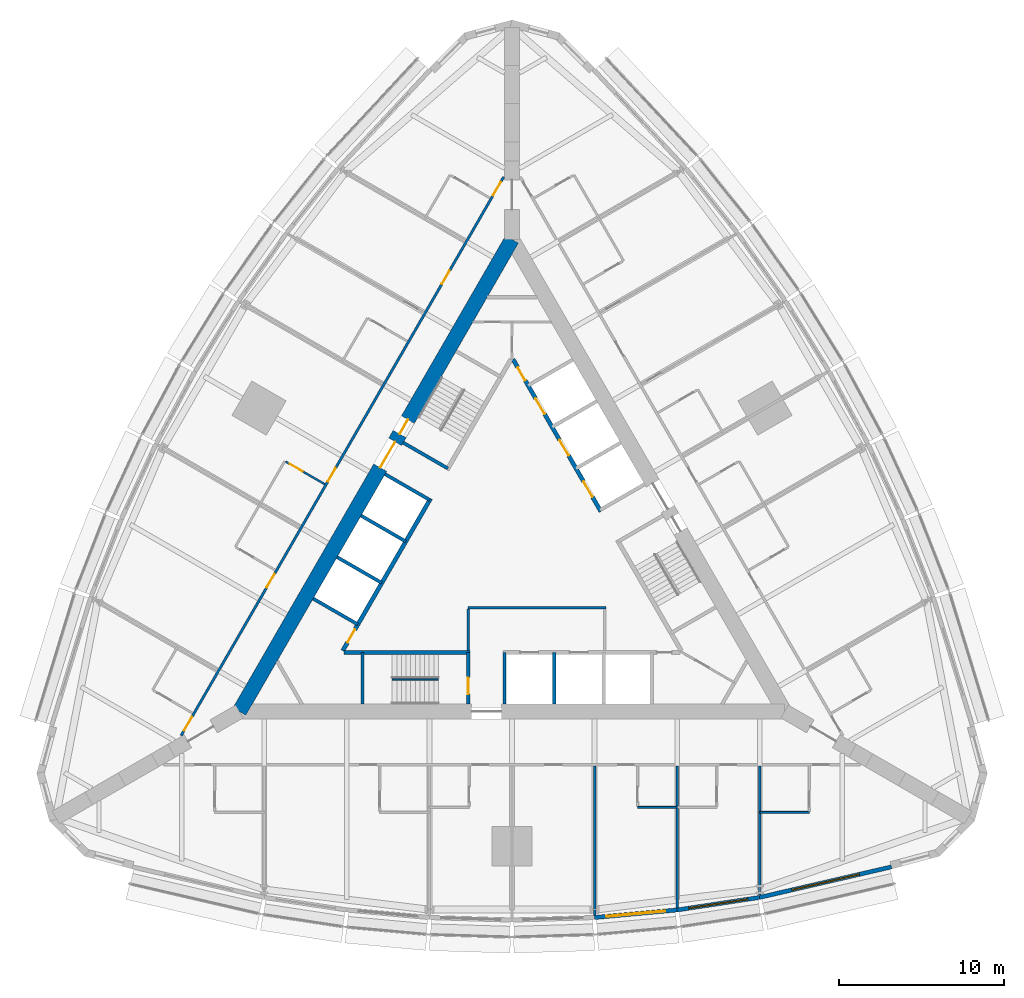
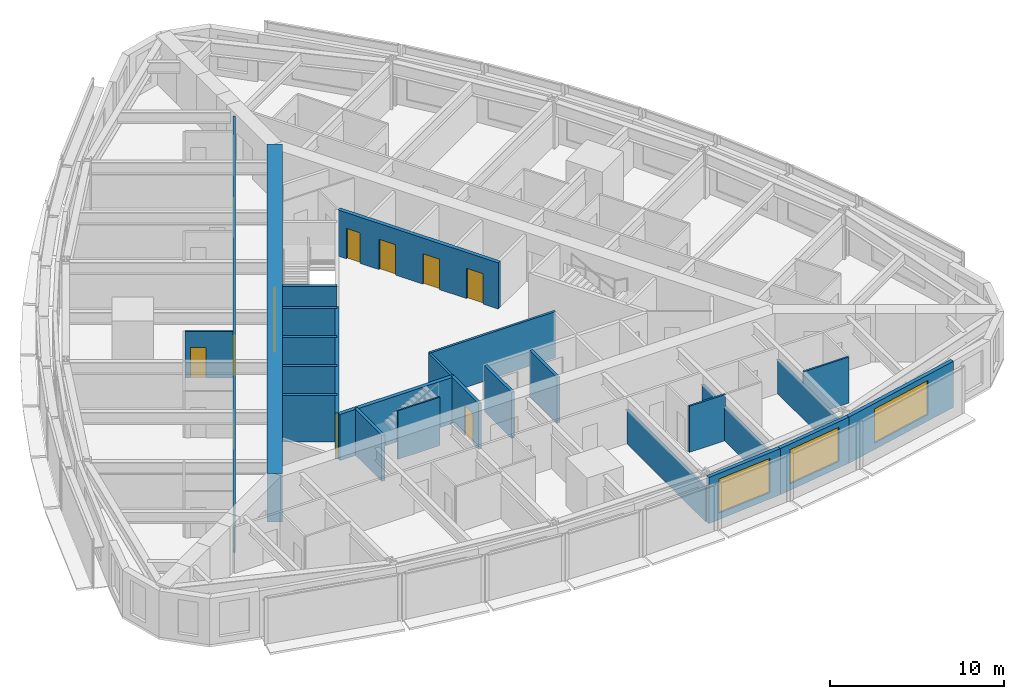
# One storey, part 9 of 14: 26 walls, 14 doors, 3 windows, 17 openings.
"""IFC4 building model written with IfcOpenShell, lengths in metres."""

from ifc_helpers import new_model, si_unit, direction, frame, frame_2d, origin, place, context, subcontext, project, spatial, rectangle, extrude, material, layer, layer_set, type_object, element, fill, save


model = new_model("IFC4")

# Units and contexts
model_context = context("Model", 3, precision=1e-05, world=origin(), true_north=direction((0.0, 1.0)))
body_context = subcontext(model_context, "Body", "Model", "MODEL_VIEW")
ifc_project = project(units=[si_unit("LENGTHUNIT", "METRE"), si_unit("AREAUNIT", "SQUARE_METRE"), si_unit("VOLUMEUNIT", "CUBIC_METRE"), si_unit("PLANEANGLEUNIT", "RADIAN"), si_unit("MASSUNIT", "GRAM", prefix="KILO")], contexts=[model_context])

# Site, building, storey
site_placement = place(None, origin())
site = spatial("IfcSite", under=ifc_project, at=site_placement, CompositionType="ELEMENT")
building_placement = place(site_placement, origin())
building = spatial("IfcBuilding", under=site, at=building_placement, Name="Trikona Tower", CompositionType="ELEMENT")
storey_placement = place(building_placement, frame((0.0, 0.0, 93.10009765625)))
storey = spatial("IfcBuildingStorey", under=building, at=storey_placement, Name="L24", CompositionType="ELEMENT", Elevation=93.10009765625)

# Walls
ifc_material_1 = material(Name="Metal stud and cement board", Category="gypsum")
ifc_layer_1 = layer(ifc_material_1, 0.1201171875)
ifc_layer_set_1 = layer_set([ifc_layer_1], Name="Bathroom wall 120")
wall_type_1 = type_object("IfcWallType", Name="Bathroom wall 120", PredefinedType="PLUMBINGWALL", material=ifc_layer_set_1)
wall_1_placement = place(storey_placement, frame((7.60009765625, -15.326416015625, 0.0), z_axis=(0.0, 0.0, 1.0), x_axis=(1.0, 0.0, 0.0)))
element("IfcWall", 1, at=wall_1_placement, inside=storey, type_object=wall_type_1, Name="Bathroom wall 2404", PredefinedType="PLUMBINGWALL", context=body_context, shape_type="SweptSolid", body=[
    extrude(rectangle(XDim=2.39990234375, YDim=0.1201171875, at=frame_2d((1.199951171875, 0.0))), origin(), (0.0, 0.0, 1.0), 3.23486328125),
])
wall_2_placement = place(storey_placement, frame((15.0, -15.626220703125, 0.0), z_axis=(0.0, 0.0, 1.0), x_axis=(1.0, 0.0, 0.0)))
element("IfcWall", 2, at=wall_2_placement, inside=storey, type_object=wall_type_1, Name="Bathroom wall 2406", PredefinedType="PLUMBINGWALL", context=body_context, shape_type="SweptSolid", body=[
    extrude(rectangle(XDim=3.0, YDim=0.1201171875, at=frame_2d((1.5, 0.0))), origin(), (0.0, 0.0, 1.0), 3.23486328125),
])

# Wall, opening, door
wall_3_placement = place(storey_placement, frame((-11.32861328125, 4.231201171875, 0.0), z_axis=(0.0, 0.0, 1.0), x_axis=(-0.866035715982, 0.499982138324, 0.0)))
wall_3 = element("IfcWall", 3, at=wall_3_placement, inside=storey, type_object=wall_type_1, Name="Bathroom wall 2414", PredefinedType="PLUMBINGWALL", context=body_context, shape_type="SweptSolid", body=[
    extrude(rectangle(XDim=2.73974609375, YDim=0.1201171875, at=frame_2d((1.369873046875, 0.0))), origin(), (0.0, 0.0, 1.0), 3.23486328125),
])
opening_1_placement = place(wall_3_placement, frame((1.550048828125, 0.0, 0.0)))
opening_1 = element("IfcOpeningElement", 4, at=opening_1_placement, cuts=wall_3, Name="Opening D2", PredefinedType="OPENING", context=body_context, shape_type="SweptSolid", body=[
    extrude(rectangle(XDim=0.89990234375, YDim=2.1298828125, at=frame_2d((0.449951171875, 1.06494140625))), frame((0.0, 0.070068359375, 0.0), z_axis=(0.0, -1.0, 0.0), x_axis=(1.0, 0.0, 0.0)), (0.0, 0.0, 1.0), 0.14013671875),
])
ifc_material_2 = material(Name="Steel door frame with solid-core timber leaf", Category="steel")
door_type_1 = type_object("IfcDoorType", Name="Bathroom door 900x2130", OperationType="SLIDING_TO_LEFT", PredefinedType="DOOR", material=ifc_material_2)
door_1_placement = place(opening_1_placement, origin())
door_1 = element("IfcDoor", 5, at=door_1_placement, inside=storey, type_object=door_type_1, Name="Bathroom door 2414", OperationType="SLIDING_TO_LEFT", OverallHeight=2.1298828125, OverallWidth=0.89990234375, PredefinedType="DOOR", context=body_context, shape_type="SweptSolid", body=[
    extrude(rectangle(XDim=0.89990234375, YDim=2.1298828125, at=frame_2d((0.449951171875, 1.06494140625))), frame((0.0, 0.02490234375, 0.0), z_axis=(0.0, -1.0, 0.0), x_axis=(1.0, 0.0, 0.0)), (0.0, 0.0, 1.0), 0.050048828125),
])
fill(opening_1, door_1)

# Wall, openings, doors
ifc_material_3 = material(Name="Concrete f'c 10000 psi", Category="concrete")
ifc_layer_2 = layer(ifc_material_3, 0.89990234375)
ifc_layer_set_2 = layer_set([ifc_layer_2], Name="Core wall 900")
wall_type_2 = type_object("IfcWallType", Name="Core wall 900", PredefinedType="SHEAR", material=ifc_layer_set_2)
wall_4_placement = place(storey_placement, frame((0.0, 19.052490234375, 0.0), z_axis=(0.0, 0.0, 1.0), x_axis=(-0.499999749417, -0.866025548458, 0.0)))
wall_4 = element("IfcWall", 6, at=wall_4_placement, inside=storey, type_object=wall_type_2, Name="Core wall C", PredefinedType="SHEAR", context=body_context, shape_type="SweptSolid", body=[
    extrude(rectangle(XDim=33.0, YDim=0.89990234375, at=frame_2d((16.5, 0.0))), origin(), (0.0, 0.0, 1.0), 3.39990234375),
])
opening_2_placement = place(wall_4_placement, frame((14.14990234375, 0.0, 0.0)))
opening_2 = element("IfcOpeningElement", 7, at=opening_2_placement, cuts=wall_4, Name="Opening D6", PredefinedType="OPENING", context=body_context, shape_type="SweptSolid", body=[
    extrude(rectangle(XDim=1.800048828125, YDim=2.1298828125, at=frame_2d((0.89990234375, 1.06494140625))), frame((0.0, 0.4599609375, 0.0), z_axis=(0.0, -1.0, 0.0), x_axis=(1.0, 0.0, 0.0)), (0.0, 0.0, 1.0), 0.919921875),
])
opening_3_placement = place(wall_4_placement, frame((12.60009765625, 0.0, 0.0)))
opening_3 = element("IfcOpeningElement", 8, at=opening_3_placement, cuts=wall_4, Name="Opening D5", PredefinedType="OPENING", context=body_context, shape_type="SweptSolid", body=[
    extrude(rectangle(XDim=1.0, YDim=2.1298828125, at=frame_2d((0.5, 1.06494140625))), frame((0.0, 0.4599609375, 0.0), z_axis=(0.0, -1.0, 0.0), x_axis=(1.0, 0.0, 0.0)), (0.0, 0.0, 1.0), 0.919921875),
])
ifc_material_4 = material(Name="Hollow metal door and frame", Category="steel")
door_type_2 = type_object("IfcDoorType", Name="Lobby door pair 1800x2130", OperationType="DOUBLE_DOOR_SINGLE_SWING", PredefinedType="DOOR", material=ifc_material_4)
door_2_placement = place(opening_2_placement, origin())
door_2 = element("IfcDoor", 9, at=door_2_placement, inside=storey, type_object=door_type_2, Name="Lift lobby door C", OperationType="DOUBLE_DOOR_SINGLE_SWING", OverallHeight=2.1298828125, OverallWidth=1.800048828125, PredefinedType="DOOR", context=body_context, shape_type="SweptSolid", body=[
    extrude(rectangle(XDim=1.800048828125, YDim=2.1298828125, at=frame_2d((0.89990234375, 1.06494140625))), frame((0.0, 0.02490234375, 0.0), z_axis=(0.0, -1.0, 0.0), x_axis=(1.0, 0.0, 0.0)), (0.0, 0.0, 1.0), 0.050048828125),
])
fill(opening_2, door_2)
ifc_material_5 = material(Name="Hollow metal door and frame", Category="steel")
door_type_3 = type_object("IfcDoorType", Name="Stair door 1000x2130", OperationType="SINGLE_SWING_LEFT", PredefinedType="DOOR", material=ifc_material_5)
door_3_placement = place(opening_3_placement, origin())
door_3 = element("IfcDoor", 10, at=door_3_placement, inside=storey, type_object=door_type_3, Name="Stair C door", OperationType="SINGLE_SWING_RIGHT", OverallHeight=2.1298828125, OverallWidth=1.0, PredefinedType="DOOR", context=body_context, shape_type="SweptSolid", body=[
    extrude(rectangle(XDim=1.0, YDim=2.1298828125, at=frame_2d((0.5, 1.06494140625))), frame((0.0, 0.02490234375, 0.0), z_axis=(0.0, -1.0, 0.0), x_axis=(1.0, 0.0, 0.0)), (0.0, 0.0, 1.0), 0.050048828125),
])
fill(opening_3, door_3)

ifc_material_6 = material(Name="Metal stud and gypsum board, 1-hour", Category="gypsum")
ifc_layer_3 = layer(ifc_material_6, 0.14990234375)
ifc_layer_set_3 = layer_set([ifc_layer_3], Name="Corridor wall 150")
wall_type_3 = type_object("IfcWallType", Name="Corridor wall 150", PredefinedType="PARTITIONING", material=ifc_layer_set_3)
wall_5_placement = place(storey_placement, frame((-0.5, 22.83642578125, 0.0), z_axis=(0.0, 0.0, 1.0), x_axis=(-0.500001677587, -0.866024435227, 0.0)))
wall_5 = element("IfcWall", 11, at=wall_5_placement, inside=storey, type_object=wall_type_3, Name="Corridor wall L24-3", PredefinedType="PARTITIONING", context=body_context, shape_type="SweptSolid", body=[
    extrude(rectangle(XDim=39.053955078125, YDim=0.14990234375, at=frame_2d((19.52685546875, 0.0))), origin(), (0.0, 0.0, 1.0), 3.23486328125),
])
opening_4_placement = place(wall_5_placement, frame((0.35205078125, 0.0, 0.0)))
opening_4 = element("IfcOpeningElement", 12, at=opening_4_placement, cuts=wall_5, Name="Opening D1", PredefinedType="OPENING", context=body_context, shape_type="SweptSolid", body=[
    extrude(rectangle(XDim=0.949951171875, YDim=2.1298828125, at=frame_2d((0.47509765625, 1.06494140625))), frame((0.0, 0.0849609375, 0.0), z_axis=(0.0, -1.0, 0.0), x_axis=(1.0, 0.0, 0.0)), (0.0, 0.0, 1.0), 0.169921875),
])
opening_5_placement = place(wall_5_placement, frame((6.552001953125, 0.0, 0.0)))
opening_5 = element("IfcOpeningElement", 13, at=opening_5_placement, cuts=wall_5, Name="Opening D1", PredefinedType="OPENING", context=body_context, shape_type="SweptSolid", body=[
    extrude(rectangle(XDim=0.949951171875, YDim=2.1298828125, at=frame_2d((0.47509765625, 1.06494140625))), frame((0.0, 0.0849609375, 0.0), z_axis=(0.0, -1.0, 0.0), x_axis=(1.0, 0.0, 0.0)), (0.0, 0.0, 1.0), 0.169921875),
])
opening_6_placement = place(wall_5_placement, frame((20.35205078125, 0.0, 0.0)))
opening_6 = element("IfcOpeningElement", 14, at=opening_6_placement, cuts=wall_5, Name="Opening D1", PredefinedType="OPENING", context=body_context, shape_type="SweptSolid", body=[
    extrude(rectangle(XDim=0.949951171875, YDim=2.1298828125, at=frame_2d((0.47509765625, 1.06494140625))), frame((0.0, 0.0849609375, 0.0), z_axis=(0.0, -1.0, 0.0), x_axis=(1.0, 0.0, 0.0)), (0.0, 0.0, 1.0), 0.169921875),
])
opening_7_placement = place(wall_5_placement, frame((27.751953125, 0.0, 0.0)))
opening_7 = element("IfcOpeningElement", 15, at=opening_7_placement, cuts=wall_5, Name="Opening D1", PredefinedType="OPENING", context=body_context, shape_type="SweptSolid", body=[
    extrude(rectangle(XDim=0.949951171875, YDim=2.1298828125, at=frame_2d((0.47509765625, 1.06494140625))), frame((0.0, 0.0849609375, 0.0), z_axis=(0.0, -1.0, 0.0), x_axis=(1.0, 0.0, 0.0)), (0.0, 0.0, 1.0), 0.169921875),
])
opening_8_placement = place(wall_5_placement, frame((37.751953125, 0.0, 0.0)))
opening_8 = element("IfcOpeningElement", 16, at=opening_8_placement, cuts=wall_5, Name="Opening D1", PredefinedType="OPENING", context=body_context, shape_type="SweptSolid", body=[
    extrude(rectangle(XDim=0.949951171875, YDim=2.1298828125, at=frame_2d((0.47509765625, 1.06494140625))), frame((0.0, 0.0849609375, 0.0), z_axis=(0.0, -1.0, 0.0), x_axis=(1.0, 0.0, 0.0)), (0.0, 0.0, 1.0), 0.169921875),
])
ifc_material_7 = material(Name="Steel door frame with solid-core timber leaf", Category="steel")
door_type_4 = type_object("IfcDoorType", Name="Guest room door 950x2130", OperationType="SINGLE_SWING_LEFT", PredefinedType="DOOR", material=ifc_material_7)
door_4_placement = place(opening_4_placement, origin())
door_4 = element("IfcDoor", 17, at=door_4_placement, inside=storey, type_object=door_type_4, Name="Room door 2412", OperationType="SINGLE_SWING_LEFT", OverallHeight=2.1298828125, OverallWidth=0.949951171875, PredefinedType="DOOR", context=body_context, shape_type="SweptSolid", body=[
    extrude(rectangle(XDim=0.949951171875, YDim=2.1298828125, at=frame_2d((0.47509765625, 1.06494140625))), frame((0.0, 0.02490234375, 0.0), z_axis=(0.0, -1.0, 0.0), x_axis=(1.0, 0.0, 0.0)), (0.0, 0.0, 1.0), 0.050048828125),
])
fill(opening_4, door_4)
door_5_placement = place(opening_5_placement, origin())
door_5 = element("IfcDoor", 18, at=door_5_placement, inside=storey, type_object=door_type_4, Name="Room door 2413", OperationType="SINGLE_SWING_RIGHT", OverallHeight=2.1298828125, OverallWidth=0.949951171875, PredefinedType="DOOR", context=body_context, shape_type="SweptSolid", body=[
    extrude(rectangle(XDim=0.949951171875, YDim=2.1298828125, at=frame_2d((0.47509765625, 1.06494140625))), frame((0.0, 0.02490234375, 0.0), z_axis=(0.0, -1.0, 0.0), x_axis=(1.0, 0.0, 0.0)), (0.0, 0.0, 1.0), 0.050048828125),
])
fill(opening_5, door_5)
door_6_placement = place(opening_6_placement, origin())
door_6 = element("IfcDoor", 19, at=door_6_placement, inside=storey, type_object=door_type_4, Name="Room door 2414", OperationType="SINGLE_SWING_LEFT", OverallHeight=2.1298828125, OverallWidth=0.949951171875, PredefinedType="DOOR", context=body_context, shape_type="SweptSolid", body=[
    extrude(rectangle(XDim=0.949951171875, YDim=2.1298828125, at=frame_2d((0.47509765625, 1.06494140625))), frame((0.0, 0.02490234375, 0.0), z_axis=(0.0, -1.0, 0.0), x_axis=(1.0, 0.0, 0.0)), (0.0, 0.0, 1.0), 0.050048828125),
])
fill(opening_6, door_6)
door_7_placement = place(opening_7_placement, origin())
door_7 = element("IfcDoor", 20, at=door_7_placement, inside=storey, type_object=door_type_4, Name="Room door 2415", OperationType="SINGLE_SWING_RIGHT", OverallHeight=2.1298828125, OverallWidth=0.949951171875, PredefinedType="DOOR", context=body_context, shape_type="SweptSolid", body=[
    extrude(rectangle(XDim=0.949951171875, YDim=2.1298828125, at=frame_2d((0.47509765625, 1.06494140625))), frame((0.0, 0.02490234375, 0.0), z_axis=(0.0, -1.0, 0.0), x_axis=(1.0, 0.0, 0.0)), (0.0, 0.0, 1.0), 0.050048828125),
])
fill(opening_7, door_7)
door_8_placement = place(opening_8_placement, origin())
door_8 = element("IfcDoor", 21, at=door_8_placement, inside=storey, type_object=door_type_4, Name="Room door 2416", OperationType="SINGLE_SWING_RIGHT", OverallHeight=2.1298828125, OverallWidth=0.949951171875, PredefinedType="DOOR", context=body_context, shape_type="SweptSolid", body=[
    extrude(rectangle(XDim=0.949951171875, YDim=2.1298828125, at=frame_2d((0.47509765625, 1.06494140625))), frame((0.0, 0.02490234375, 0.0), z_axis=(0.0, -1.0, 0.0), x_axis=(1.0, 0.0, 0.0)), (0.0, 0.0, 1.0), 0.050048828125),
])
fill(opening_8, door_8)

# Wall
ifc_material_8 = material(Name="Concrete f'c 8000 psi", Category="concrete")
ifc_layer_4 = layer(ifc_material_8, 0.25)
ifc_layer_set_4 = layer_set([ifc_layer_4], Name="Hub wall 250")
wall_type_4 = type_object("IfcWallType", Name="Hub wall 250", PredefinedType="SOLIDWALL", material=ifc_layer_set_4)
wall_6_placement = place(storey_placement, frame((-10.182861328125, -5.951416015625, 0.0), z_axis=(0.0, 0.0, 1.0), x_axis=(1.0, 0.0, 0.0)))
element("IfcWall", 22, at=wall_6_placement, inside=storey, type_object=wall_type_4, Name="Lift lobby wall A1", PredefinedType="SOLIDWALL", context=body_context, shape_type="SweptSolid", body=[
    extrude(rectangle(XDim=7.6328125, YDim=0.25, at=frame_2d((3.81640625, 0.0))), origin(), (0.0, 0.0, 1.0), 3.23486328125),
])

# Wall, openings, doors
wall_7_placement = place(storey_placement, frame((5.37890625, 2.5859375, 0.0), z_axis=(0.0, 0.0, 1.0), x_axis=(-0.500001375892, 0.866024609411, 0.0)))
wall_7 = element("IfcWall", 23, at=wall_7_placement, inside=storey, type_object=wall_type_4, Name="Lift lobby wall B2", PredefinedType="SOLIDWALL", context=body_context, shape_type="SweptSolid", body=[
    extrude(rectangle(XDim=10.6328125, YDim=0.25, at=frame_2d((5.31640625, 0.0))), origin(), (0.0, 0.0, 1.0), 3.23486328125),
])
opening_9_placement = place(wall_7_placement, frame((9.1640625, 0.0, 0.0)))
opening_9 = element("IfcOpeningElement", 24, at=opening_9_placement, cuts=wall_7, Name="Opening D14", PredefinedType="OPENING", context=body_context, shape_type="SweptSolid", body=[
    extrude(rectangle(XDim=0.89990234375, YDim=2.1298828125, at=frame_2d((0.449951171875, 1.06494140625))), frame((0.0, 0.135009765625, 0.0), z_axis=(0.0, -1.0, 0.0), x_axis=(1.0, 0.0, 0.0)), (0.0, 0.0, 1.0), 0.27001953125),
])
opening_10_placement = place(wall_7_placement, frame((1.0, 0.0, 0.0)))
opening_10 = element("IfcOpeningElement", 25, at=opening_10_placement, cuts=wall_7, Name="Opening LD", PredefinedType="OPENING", context=body_context, shape_type="SweptSolid", body=[
    extrude(rectangle(XDim=1.10009765625, YDim=2.1298828125, at=frame_2d((0.550048828125, 1.06494140625))), frame((0.0, 0.135009765625, 0.0), z_axis=(0.0, -1.0, 0.0), x_axis=(1.0, 0.0, 0.0)), (0.0, 0.0, 1.0), 0.27001953125),
])
opening_11_placement = place(wall_7_placement, frame((3.89990234375, 0.0, 0.0)))
opening_11 = element("IfcOpeningElement", 26, at=opening_11_placement, cuts=wall_7, Name="Opening LD", PredefinedType="OPENING", context=body_context, shape_type="SweptSolid", body=[
    extrude(rectangle(XDim=1.10009765625, YDim=2.1298828125, at=frame_2d((0.550048828125, 1.06494140625))), frame((0.0, 0.135009765625, 0.0), z_axis=(0.0, -1.0, 0.0), x_axis=(1.0, 0.0, 0.0)), (0.0, 0.0, 1.0), 0.27001953125),
])
opening_12_placement = place(wall_7_placement, frame((6.800048828125, 0.0, 0.0)))
opening_12 = element("IfcOpeningElement", 27, at=opening_12_placement, cuts=wall_7, Name="Opening LD", PredefinedType="OPENING", context=body_context, shape_type="SweptSolid", body=[
    extrude(rectangle(XDim=1.10009765625, YDim=2.1298828125, at=frame_2d((0.550048828125, 1.06494140625))), frame((0.0, 0.135009765625, 0.0), z_axis=(0.0, -1.0, 0.0), x_axis=(1.0, 0.0, 0.0)), (0.0, 0.0, 1.0), 0.27001953125),
])
ifc_material_9 = material(Name="Stainless steel lift landing door", Category="steel")
door_type_5 = type_object("IfcDoorType", Name="Lift landing door 1100x2130", OperationType="DOUBLE_DOOR_SLIDING", PredefinedType="USERDEFINED", material=ifc_material_9)
door_9_placement = place(opening_10_placement, origin())
door_9 = element("IfcDoor", 28, at=door_9_placement, inside=storey, type_object=door_type_5, Name="Lift landing door L1-1", ObjectType="LIFT LANDING DOOR", OperationType="DOUBLE_DOOR_SLIDING", OverallHeight=2.1298828125, OverallWidth=1.10009765625, PredefinedType="USERDEFINED", context=body_context, shape_type="SweptSolid", body=[
    extrude(rectangle(XDim=1.10009765625, YDim=2.1298828125, at=frame_2d((0.550048828125, 1.06494140625))), frame((0.0, 0.02490234375, 0.0), z_axis=(0.0, -1.0, 0.0), x_axis=(1.0, 0.0, 0.0)), (0.0, 0.0, 1.0), 0.050048828125),
])
fill(opening_10, door_9)
door_10_placement = place(opening_11_placement, origin())
door_10 = element("IfcDoor", 29, at=door_10_placement, inside=storey, type_object=door_type_5, Name="Lift landing door L1-2", ObjectType="LIFT LANDING DOOR", OperationType="DOUBLE_DOOR_SLIDING", OverallHeight=2.1298828125, OverallWidth=1.10009765625, PredefinedType="USERDEFINED", context=body_context, shape_type="SweptSolid", body=[
    extrude(rectangle(XDim=1.10009765625, YDim=2.1298828125, at=frame_2d((0.550048828125, 1.06494140625))), frame((0.0, 0.02490234375, 0.0), z_axis=(0.0, -1.0, 0.0), x_axis=(1.0, 0.0, 0.0)), (0.0, 0.0, 1.0), 0.050048828125),
])
fill(opening_11, door_10)
door_11_placement = place(opening_12_placement, origin())
door_11 = element("IfcDoor", 30, at=door_11_placement, inside=storey, type_object=door_type_5, Name="Lift landing door L1-3", ObjectType="LIFT LANDING DOOR", OperationType="DOUBLE_DOOR_SLIDING", OverallHeight=2.1298828125, OverallWidth=1.10009765625, PredefinedType="USERDEFINED", context=body_context, shape_type="SweptSolid", body=[
    extrude(rectangle(XDim=1.10009765625, YDim=2.1298828125, at=frame_2d((0.550048828125, 1.06494140625))), frame((0.0, 0.02490234375, 0.0), z_axis=(0.0, -1.0, 0.0), x_axis=(1.0, 0.0, 0.0)), (0.0, 0.0, 1.0), 0.050048828125),
])
fill(opening_12, door_11)
ifc_material_10 = material(Name="Hollow metal door and frame", Category="steel")
door_type_6 = type_object("IfcDoorType", Name="Service room door 900x2130", OperationType="SINGLE_SWING_LEFT", PredefinedType="DOOR", material=ifc_material_10)
door_12_placement = place(opening_9_placement, origin())
door_12 = element("IfcDoor", 31, at=door_12_placement, inside=storey, type_object=door_type_6, Name="Door Housekeeping store HKS", OperationType="SINGLE_SWING_RIGHT", OverallHeight=2.1298828125, OverallWidth=0.89990234375, PredefinedType="DOOR", context=body_context, shape_type="SweptSolid", body=[
    extrude(rectangle(XDim=0.89990234375, YDim=2.1298828125, at=frame_2d((0.449951171875, 1.06494140625))), frame((0.0, 0.02490234375, 0.0), z_axis=(0.0, -1.0, 0.0), x_axis=(1.0, 0.0, 0.0)), (0.0, 0.0, 1.0), 0.050048828125),
])
fill(opening_9, door_12)

# Wall, opening, door
wall_8_placement = place(storey_placement, frame((-4.928955078125, 3.365478515625, 0.0), z_axis=(0.0, 0.0, 1.0), x_axis=(-0.499991433582, -0.866030349552, 0.0)))
wall_8 = element("IfcWall", 32, at=wall_8_placement, inside=storey, type_object=wall_type_4, Name="Lift lobby wall C2", PredefinedType="SOLIDWALL", context=body_context, shape_type="SweptSolid", body=[
    extrude(rectangle(XDim=10.633056640625, YDim=0.25, at=frame_2d((5.31640625, 0.0))), origin(), (0.0, 0.0, 1.0), 3.23486328125),
])
opening_13_placement = place(wall_8_placement, frame((9.1640625, 0.0, 0.0)))
opening_13 = element("IfcOpeningElement", 33, at=opening_13_placement, cuts=wall_8, Name="Opening D14", PredefinedType="OPENING", context=body_context, shape_type="SweptSolid", body=[
    extrude(rectangle(XDim=0.89990234375, YDim=2.1298828125, at=frame_2d((0.449951171875, 1.06494140625))), frame((0.0, 0.135009765625, 0.0), z_axis=(0.0, -1.0, 0.0), x_axis=(1.0, 0.0, 0.0)), (0.0, 0.0, 1.0), 0.27001953125),
])
door_13_placement = place(opening_13_placement, origin())
door_13 = element("IfcDoor", 34, at=door_13_placement, inside=storey, type_object=door_type_6, Name="Door Ice and vending ICE", OperationType="SINGLE_SWING_RIGHT", OverallHeight=2.1298828125, OverallWidth=0.89990234375, PredefinedType="DOOR", context=body_context, shape_type="SweptSolid", body=[
    extrude(rectangle(XDim=0.89990234375, YDim=2.1298828125, at=frame_2d((0.449951171875, 1.06494140625))), frame((0.0, 0.02490234375, 0.0), z_axis=(0.0, -1.0, 0.0), x_axis=(1.0, 0.0, 0.0)), (0.0, 0.0, 1.0), 0.050048828125),
])
fill(opening_13, door_13)

# Wall, opening, window
ifc_material_11 = material(Name="Insulated precast concrete spandrel panel", Category="concrete")
ifc_layer_5 = layer(ifc_material_11, 0.25)
ifc_layer_set_5 = layer_set([ifc_layer_5], Name="Inner skin wall 250")
wall_type_5 = type_object("IfcWallType", Name="Inner skin wall 250", PredefinedType="STANDARD", material=ifc_layer_set_5)
wall_9_placement = place(storey_placement, frame((4.988525390625, -21.995849609375, 0.0), z_axis=(0.0, 0.0, 1.0), x_axis=(0.995857256774, 0.090930325692, 0.0)))
wall_9 = element("IfcWall", 35, at=wall_9_placement, inside=storey, type_object=wall_type_5, Name="External wall L24-05", PredefinedType="STANDARD", context=body_context, shape_type="SweptSolid", body=[
    extrude(rectangle(XDim=5.020751953125, YDim=0.25, at=frame_2d((2.51025390625, 0.0))), origin(), (0.0, 0.0, 1.0), 3.23486328125),
])
opening_14_placement = place(wall_9_placement, frame((0.71044921875, 0.0, 0.449951171875)))
opening_14 = element("IfcOpeningElement", 36, at=opening_14_placement, cuts=wall_9, Name="Opening W3624", PredefinedType="OPENING", context=body_context, shape_type="SweptSolid", body=[
    extrude(rectangle(XDim=3.60009765625, YDim=2.39990234375, at=frame_2d((1.800048828125, 1.199951171875))), frame((0.0, 0.135009765625, 0.0), z_axis=(0.0, -1.0, 0.0), x_axis=(1.0, 0.0, 0.0)), (0.0, 0.0, 1.0), 0.27001953125),
])
ifc_material_12 = material(Name="Aluminium-framed double glazing", Category="aluminium")
window_type_1 = type_object("IfcWindowType", Name="Window 3600x2400", PartitioningType="SINGLE_PANEL", PredefinedType="WINDOW", material=ifc_material_12)
window_1_placement = place(opening_14_placement, origin())
window_1 = element("IfcWindow", 37, at=window_1_placement, inside=storey, type_object=window_type_1, Name="Window 2404", OverallHeight=2.39990234375, OverallWidth=3.60009765625, PartitioningType="SINGLE_PANEL", PredefinedType="WINDOW", context=body_context, shape_type="SweptSolid", body=[
    extrude(rectangle(XDim=3.60009765625, YDim=2.39990234375, at=frame_2d((1.800048828125, 1.199951171875))), frame((0.0, 0.030029296875, 0.0), z_axis=(0.0, -1.0, 0.0), x_axis=(1.0, 0.0, 0.0)), (0.0, 0.0, 1.0), 0.06005859375),
])
fill(opening_14, window_1)

wall_10_placement = place(storey_placement, frame((9.981201171875, -21.540283203125, 0.0), z_axis=(0.0, 0.0, 1.0), x_axis=(0.988615403399, 0.150464561152, 0.0)))
wall_10 = element("IfcWall", 38, at=wall_10_placement, inside=storey, type_object=wall_type_5, Name="External wall L24-06", PredefinedType="STANDARD", context=body_context, shape_type="SweptSolid", body=[
    extrude(rectangle(XDim=5.0576171875, YDim=0.25, at=frame_2d((2.52880859375, 0.0))), origin(), (0.0, 0.0, 1.0), 3.23486328125),
])
opening_15_placement = place(wall_10_placement, frame((0.728759765625, 0.0, 0.449951171875)))
opening_15 = element("IfcOpeningElement", 39, at=opening_15_placement, cuts=wall_10, Name="Opening W3624", PredefinedType="OPENING", context=body_context, shape_type="SweptSolid", body=[
    extrude(rectangle(XDim=3.60009765625, YDim=2.39990234375, at=frame_2d((1.800048828125, 1.199951171875))), frame((0.0, 0.135009765625, 0.0), z_axis=(0.0, -1.0, 0.0), x_axis=(1.0, 0.0, 0.0)), (0.0, 0.0, 1.0), 0.27001953125),
])
window_2_placement = place(opening_15_placement, origin())
window_2 = element("IfcWindow", 40, at=window_2_placement, inside=storey, type_object=window_type_1, Name="Window 2405", OverallHeight=2.39990234375, OverallWidth=3.60009765625, PartitioningType="SINGLE_PANEL", PredefinedType="WINDOW", context=body_context, shape_type="SweptSolid", body=[
    extrude(rectangle(XDim=3.60009765625, YDim=2.39990234375, at=frame_2d((1.800048828125, 1.199951171875))), frame((0.0, 0.030029296875, 0.0), z_axis=(0.0, -1.0, 0.0), x_axis=(1.0, 0.0, 0.0)), (0.0, 0.0, 1.0), 0.06005859375),
])
fill(opening_15, window_2)

wall_11_placement = place(storey_placement, frame((14.9716796875, -20.78125, 0.0), z_axis=(0.0, 0.0, 1.0), x_axis=(0.974279327392, 0.225343720163, 0.0)))
wall_11 = element("IfcWall", 41, at=wall_11_placement, inside=storey, type_object=wall_type_5, Name="External wall L24-07", PredefinedType="STANDARD", context=body_context, shape_type="SweptSolid", body=[
    extrude(rectangle(XDim=8.211181640625, YDim=0.25, at=frame_2d((4.10546875, 0.0))), origin(), (0.0, 0.0, 1.0), 3.23486328125),
])
opening_16_placement = place(wall_11_placement, frame((2.005615234375, 0.0, 0.449951171875)))
opening_16 = element("IfcOpeningElement", 42, at=opening_16_placement, cuts=wall_11, Name="Opening W4224", PredefinedType="OPENING", context=body_context, shape_type="SweptSolid", body=[
    extrude(rectangle(XDim=4.199951171875, YDim=2.39990234375, at=frame_2d((2.10009765625, 1.199951171875))), frame((0.0, 0.135009765625, 0.0), z_axis=(0.0, -1.0, 0.0), x_axis=(1.0, 0.0, 0.0)), (0.0, 0.0, 1.0), 0.27001953125),
])
ifc_material_13 = material(Name="Aluminium-framed double glazing", Category="aluminium")
window_type_2 = type_object("IfcWindowType", Name="Window 4200x2400", PartitioningType="SINGLE_PANEL", PredefinedType="WINDOW", material=ifc_material_13)
window_3_placement = place(opening_16_placement, origin())
window_3 = element("IfcWindow", 43, at=window_3_placement, inside=storey, type_object=window_type_2, Name="Window 2406", OverallHeight=2.39990234375, OverallWidth=4.199951171875, PartitioningType="SINGLE_PANEL", PredefinedType="WINDOW", context=body_context, shape_type="SweptSolid", body=[
    extrude(rectangle(XDim=4.199951171875, YDim=2.39990234375, at=frame_2d((2.10009765625, 1.199951171875))), frame((0.0, 0.030029296875, 0.0), z_axis=(0.0, -1.0, 0.0), x_axis=(1.0, 0.0, 0.0)), (0.0, 0.0, 1.0), 0.06005859375),
])
fill(opening_16, window_3)

# Walls
ifc_material_14 = material(Name="Metal stud and gypsum board, 2-hour shaft wall", Category="gypsum")
ifc_layer_6 = layer(ifc_material_14, 0.14990234375)
ifc_layer_set_6 = layer_set([ifc_layer_6], Name="Lobby wall 150")
wall_type_6 = type_object("IfcWallType", Name="Lobby wall 150", PredefinedType="PARTITIONING", material=ifc_layer_set_6)
wall_12_placement = place(storey_placement, frame((-2.64990234375, -3.251220703125, 0.0), z_axis=(0.0, 0.0, 1.0), x_axis=(1.0, 0.0, 0.0)))
element("IfcWall", 44, at=wall_12_placement, inside=storey, type_object=wall_type_6, Name="Fire service lift lobby wall 1", PredefinedType="PARTITIONING", context=body_context, shape_type="SweptSolid", body=[
    extrude(rectangle(XDim=8.349853515625, YDim=0.14990234375, at=frame_2d((4.1748046875, 0.0))), origin(), (0.0, 0.0, 1.0), 3.23486328125),
])
wall_13_placement = place(storey_placement, frame((-2.64990234375, -5.826416015625, 0.0), z_axis=(0.0, 0.0, 1.0), x_axis=(0.0, 1.0, 0.0)))
element("IfcWall", 45, at=wall_13_placement, inside=storey, type_object=wall_type_6, Name="Fire service lift lobby wall 2", PredefinedType="PARTITIONING", context=body_context, shape_type="SweptSolid", body=[
    extrude(rectangle(XDim=2.5, YDim=0.14990234375, at=frame_2d((1.25, 0.0))), origin(), (0.0, 0.0, 1.0), 3.23486328125),
])
ifc_material_15 = material(Name="Metal stud and gypsum board, 1-hour acoustic", Category="gypsum")
ifc_layer_7 = layer(ifc_material_15, 0.14990234375)
ifc_layer_set_7 = layer_set([ifc_layer_7], Name="Party wall 150")
wall_type_7 = type_object("IfcWallType", Name="Party wall 150", PredefinedType="PARTITIONING", material=ifc_layer_set_7)
wall_14_placement = place(storey_placement, frame((5.0, -12.826416015625, 0.0), z_axis=(0.0, 0.0, 1.0), x_axis=(0.0, -1.0, 0.0)))
element("IfcWall", 46, at=wall_14_placement, inside=storey, type_object=wall_type_7, Name="Partition L24 F1 u5", PredefinedType="PARTITIONING", context=body_context, shape_type="SweptSolid", body=[
    extrude(rectangle(XDim=9.04296875, YDim=0.14990234375, at=frame_2d((4.521484375, 0.0))), origin(), (0.0, 0.0, 1.0), 2.38916015625),
])
wall_15_placement = place(storey_placement, frame((10.0, -12.826416015625, 0.0), z_axis=(0.0, 0.0, 1.0), x_axis=(0.0, -1.0, 0.0)))
element("IfcWall", 47, at=wall_15_placement, inside=storey, type_object=wall_type_7, Name="Partition L24 F1 u10", PredefinedType="PARTITIONING", context=body_context, shape_type="SweptSolid", body=[
    extrude(rectangle(XDim=8.58447265625, YDim=0.14990234375, at=frame_2d((4.292236328125, 0.0))), origin(), (0.0, 0.0, 1.0), 2.38916015625),
])
wall_16_placement = place(storey_placement, frame((15.0, -12.826416015625, 0.0), z_axis=(0.0, 0.0, 1.0), x_axis=(0.0, -1.0, 0.0)))
element("IfcWall", 48, at=wall_16_placement, inside=storey, type_object=wall_type_7, Name="Partition L24 F1 u15", PredefinedType="PARTITIONING", context=body_context, shape_type="SweptSolid", body=[
    extrude(rectangle(XDim=7.820068359375, YDim=0.14990234375, at=frame_2d((3.91015625, 0.0))), origin(), (0.0, 0.0, 1.0), 2.38916015625),
])
ifc_material_16 = material(Name="Concrete f'c 8000 psi", Category="concrete")
ifc_layer_8 = layer(ifc_material_16, 0.199951171875)
ifc_layer_set_8 = layer_set([ifc_layer_8], Name="Shaft wall 200")
wall_type_8 = type_object("IfcWallType", Name="Shaft wall 200", PredefinedType="SOLIDWALL", material=ifc_layer_set_8)
for number, where, z_axis, x_axis, name in (
    (49, (-0.449951171875, -5.951416015625, 0.0), (0.0, 0.0, 1.0), (0.0, -1.0, 0.0), "Shaft wall A3"),
    (50, (2.550048828125, -5.951416015625, 0.0), (0.0, 0.0, 1.0), (0.0, -1.0, 0.0), "Shaft wall A4"),
    (51, (-4.97900390625, 3.27880859375, 0.0), (0.0, 0.0, 1.0), (-0.866022959057, 0.500004234368, 0.0), "Shaft wall C3"),
    (52, (-6.428955078125, 0.767333984375, 0.0), (0.0, 0.0, 1.0), (-0.866022959057, 0.500004234368, 0.0), "Shaft wall C4"),
    (53, (-7.87890625, -1.744140625, 0.0), (0.0, 0.0, 1.0), (-0.866022959057, 0.500004234368, 0.0), "Shaft wall C5"),
    (54, (-9.3291015625, -4.255615234375, 0.0), (0.0, 0.0, 1.0), (-0.866022959057, 0.500004234368, 0.0), "Shaft wall C6"),
):
    element("IfcWall", number, at=place(storey_placement, frame(where, z_axis=z_axis, x_axis=x_axis)), inside=storey, type_object=wall_type_8, Name=name, PredefinedType="SOLIDWALL", context=body_context, shape_type="SweptSolid", body=[
        extrude(rectangle(XDim=3.125, YDim=0.199951171875, at=frame_2d((1.5625, 0.0))), origin(), (0.0, 0.0, 1.0), 3.23486328125),
    ])
ifc_material_17 = material(Name="Concrete f'c 8000 psi", Category="concrete")
ifc_layer_9 = layer(ifc_material_17, 0.199951171875)
ifc_layer_set_9 = layer_set([ifc_layer_9], Name="Shaft wall 200 load-bearing")
wall_type_9 = type_object("IfcWallType", Name="Shaft wall 200 load-bearing", PredefinedType="SOLIDWALL", material=ifc_layer_set_9)
wall_17_placement = place(storey_placement, frame((-9.050048828125, -5.951416015625, 0.0), z_axis=(0.0, 0.0, 1.0), x_axis=(0.0, -1.0, 0.0)))
element("IfcWall", 55, at=wall_17_placement, inside=storey, type_object=wall_type_9, Name="Shaft wall A1", PredefinedType="SOLIDWALL", context=body_context, shape_type="SweptSolid", body=[
    extrude(rectangle(XDim=3.125, YDim=0.199951171875, at=frame_2d((1.5625, 0.0))), origin(), (0.0, 0.0, 1.0), 3.23486328125),
])

# Wall, opening, door
wall_18_placement = place(storey_placement, frame((-2.64990234375, -5.951416015625, 0.0), z_axis=(0.0, 0.0, 1.0), x_axis=(0.0, -1.0, 0.0)))
wall_18 = element("IfcWall", 56, at=wall_18_placement, inside=storey, type_object=wall_type_9, Name="Shaft wall A2", PredefinedType="SOLIDWALL", context=body_context, shape_type="SweptSolid", body=[
    extrude(rectangle(XDim=3.125, YDim=0.199951171875, at=frame_2d((1.5625, 0.0))), origin(), (0.0, 0.0, 1.0), 3.23486328125),
])
opening_17_placement = place(wall_18_placement, frame((1.52490234375, 0.0, 0.0)))
opening_17 = element("IfcOpeningElement", 57, at=opening_17_placement, cuts=wall_18, Name="Opening D5", PredefinedType="OPENING", context=body_context, shape_type="SweptSolid", body=[
    extrude(rectangle(XDim=1.0, YDim=2.1298828125, at=frame_2d((0.5, 1.06494140625))), frame((0.0, 0.10986328125, 0.0), z_axis=(0.0, -1.0, 0.0), x_axis=(1.0, 0.0, 0.0)), (0.0, 0.0, 1.0), 0.219970703125),
])
door_14_placement = place(opening_17_placement, origin())
door_14 = element("IfcDoor", 58, at=door_14_placement, inside=storey, type_object=door_type_3, Name="Stair A door", OperationType="SINGLE_SWING_RIGHT", OverallHeight=2.1298828125, OverallWidth=1.0, PredefinedType="DOOR", context=body_context, shape_type="SweptSolid", body=[
    extrude(rectangle(XDim=1.0, YDim=2.1298828125, at=frame_2d((0.5, 1.06494140625))), frame((0.0, 0.02490234375, 0.0), z_axis=(0.0, -1.0, 0.0), x_axis=(1.0, 0.0, 0.0)), (0.0, 0.0, 1.0), 0.050048828125),
])
fill(opening_17, door_14)

# Walls
wall_19_placement = place(storey_placement, frame((-3.87890625, 5.18408203125, 0.0), z_axis=(0.0, 0.0, 1.0), x_axis=(-0.866022959057, 0.500004234368, 0.0)))
element("IfcWall", 59, at=wall_19_placement, inside=storey, type_object=wall_type_9, Name="Shaft wall C2", PredefinedType="SOLIDWALL", context=body_context, shape_type="SweptSolid", body=[
    extrude(rectangle(XDim=3.125, YDim=0.199951171875, at=frame_2d((1.5625, 0.0))), origin(), (0.0, 0.0, 1.0), 3.23486328125),
])
ifc_material_18 = material(Name="Concrete f'c 5000 psi", Category="concrete")
ifc_layer_10 = layer(ifc_material_18, 0.10009765625)
ifc_layer_set_10 = layer_set([ifc_layer_10], Name="Stair spine wall 100")
wall_type_10 = type_object("IfcWallType", Name="Stair spine wall 100", PredefinedType="SOLIDWALL", material=ifc_layer_set_10)
wall_20_placement = place(storey_placement, frame((-7.2470703125, -7.576416015625, 0.0), z_axis=(0.0, 0.0, 1.0), x_axis=(1.0, 0.0, 0.0)))
element("IfcWall", 60, at=wall_20_placement, inside=storey, type_object=wall_type_10, Name="Stair A spine wall L24", PredefinedType="SOLIDWALL", context=body_context, shape_type="SweptSolid", body=[
    extrude(rectangle(XDim=2.794189453125, YDim=0.10009765625, at=frame_2d((1.39697265625, 0.0))), origin(), (0.0, 0.0, 1.0), 3.39990234375),
])

save(model, "model.ifc")
